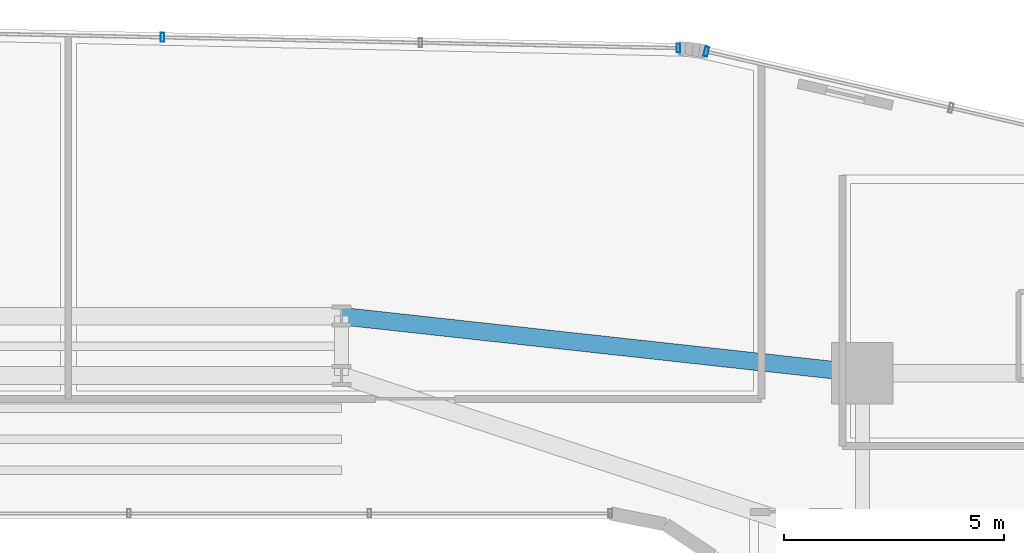
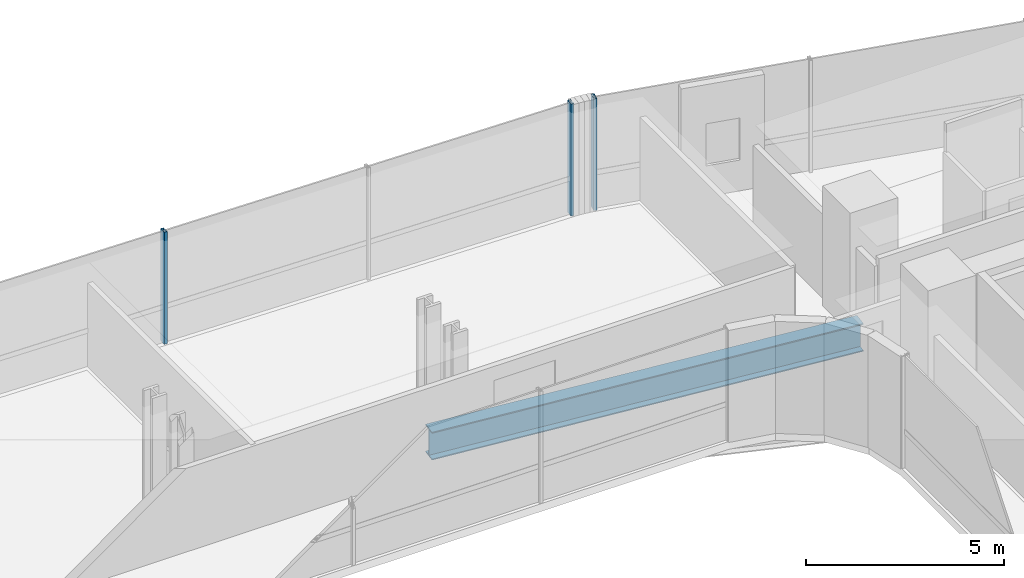
# One storey, part 22 of 40: 3 members, 1 beam, 2 elements without a shape of their own.
"""IFC4 building model written with IfcOpenShell, lengths in metres."""

from ifc_helpers import new_model, si_unit, direction, frame, origin, origin_2d, place, context, subcontext, project, spatial, hollow_rectangle, i_section, extrude, source, transform, mapped, material, material_profile, profile_set, type_object, element, aggregate, save


model = new_model("IFC4")

# Units and contexts
model_context = context("Model", 3, precision=1e-05, world=origin(), true_north=direction((0.0, 1.0)))
body_context = subcontext(model_context, "Body", "Model", "MODEL_VIEW")
ifc_project = project(units=[si_unit("LENGTHUNIT", "METRE"), si_unit("AREAUNIT", "SQUARE_METRE"), si_unit("VOLUMEUNIT", "CUBIC_METRE"), si_unit("PLANEANGLEUNIT", "RADIAN"), si_unit("MASSUNIT", "GRAM", prefix="KILO")], contexts=[model_context])

# Site, building, storey
site_placement = place(None, origin())
site = spatial("IfcSite", under=ifc_project, at=site_placement, CompositionType="ELEMENT")
building_placement = place(site_placement, origin())
building = spatial("IfcBuilding", under=site, at=building_placement, Name="Valdorenza Pilgrim Sanctuary Tower", CompositionType="ELEMENT")
storey_placement = place(building_placement, frame((0.0, 0.0, 66.699951171875)))
storey = spatial("IfcBuildingStorey", under=building, at=storey_placement, Name="L16", CompositionType="ELEMENT", Elevation=66.699951171875)

# Beam
ifc_material_1 = material(Name="Steel ASTM A992 Grade 50", Category="steel")
ifc_material_profile_1 = material_profile(ifc_material_1, i_section(OverallWidth=0.39990234375, OverallDepth=0.862060546875, WebThickness=0.019775390625, FlangeThickness=0.032470703125, at=origin_2d()), Name="W33X221")
ifc_profile_set_1 = profile_set([ifc_material_profile_1], Name="Steel ASTM A992 Grade 50")
beam_type = type_object("IfcBeamType", Name="STR-BM-GRD-W33", PredefinedType="BEAM", material=ifc_profile_set_1)
shared_shape_1 = source(origin(), body_context, "Body", "SweptSolid", [
    extrude(i_section(OverallWidth=0.39990234375, OverallDepth=0.862060546875, WebThickness=0.019775390625, FlangeThickness=0.032470703125, at=origin_2d()), origin(), (0.0, 0.0, 1.0), 11.921142578125),
])
beam_placement = place(storey_placement, frame((4.0, 14.800048828125, -0.6708984375), z_axis=(0.994035876607, -0.10905354656, 0.0), x_axis=(0.10905354656, 0.994035876607, 0.0)))
element("IfcBeam", 1, at=beam_placement, inside=storey, type_object=beam_type, Name="L16 Floor Girder KNK-G6", PredefinedType="BEAM", context=body_context, shape_type="MappedRepresentation", body=[
    mapped(shared_shape_1, transform((0.0, 0.0, 0.0), x_axis=(1.0, 0.0, 0.0), y_axis=(0.0, 1.0, 0.0), z_axis=(0.0, 0.0, 1.0), scale=1.0)),
])

# Curtain wall, members
ifc_material_2 = material(Name="Curtain-wall IGU glazing", Category="glass")
curtain_wall_type_1 = type_object("IfcCurtainWallType", Name="CW-SYS-02", PredefinedType="NOTDEFINED", material=ifc_material_2)
curtain_wall_1_placement = place(storey_placement, origin())
curtain_wall_1 = element("IfcCurtainWall", 2, at=curtain_wall_1_placement, inside=storey, type_object=curtain_wall_type_1, Name="L16 Curtain Wall CW-L16-1-11", PredefinedType="NOTDEFINED")
ifc_material_3 = material(Name="Anodised aluminium AW-6060", Category="aluminium")
ifc_material_profile_2 = material_profile(ifc_material_3, hollow_rectangle(XDim=0.0849609375, YDim=0.199951171875, WallThickness=0.0048828125, at=origin_2d()), Name="ALU-M 200x85x5")
ifc_profile_set_2 = profile_set([ifc_material_profile_2], Name="Anodised aluminium AW-6060")
member_type_1 = type_object("IfcMemberType", Name="CW-MUL-02", PredefinedType="MULLION", material=ifc_profile_set_2)
shared_shape_2 = source(origin(), body_context, "Body", "SweptSolid", [
    extrude(hollow_rectangle(XDim=0.0849609375, YDim=0.199951171875, WallThickness=0.0048828125, at=origin_2d()), origin(), (0.0, 0.0, 1.0), 3.4599609375),
])
member_1_placement = place(storey_placement, frame((-0.0712890625, 21.1416015625, 0.0), z_axis=(0.0, 0.0, 1.0), x_axis=(0.999783234613, -0.020820273474, 0.0)))
member_1 = element("IfcMember", 3, at=member_1_placement, type_object=member_type_1, Name="CW-L16-1-11 Mullion 3", PredefinedType="MULLION", context=body_context, shape_type="MappedRepresentation", body=[
    mapped(shared_shape_2, transform((0.0, 0.0, 0.0), x_axis=(1.0, 0.0, 0.0), y_axis=(0.0, 1.0, 0.0), z_axis=(0.0, 0.0, 1.0), scale=1.0)),
])
member_2_placement = place(storey_placement, frame((11.665771484375, 20.89697265625, 0.0), z_axis=(0.0, 0.0, 1.0), x_axis=(0.999783234613, -0.020820273474, 0.0)))
member_2 = element("IfcMember", 4, at=member_2_placement, type_object=member_type_1, Name="CW-L16-1-11 Mullion 5", PredefinedType="MULLION", context=body_context, shape_type="MappedRepresentation", body=[
    mapped(shared_shape_2, transform((0.0, 0.0, 0.0), x_axis=(1.0, 0.0, 0.0), y_axis=(0.0, 1.0, 0.0), z_axis=(0.0, 0.0, 1.0), scale=1.0)),
])
aggregate(curtain_wall_1, [member_1, member_2])

# Curtain wall, member
curtain_wall_type_2 = type_object("IfcCurtainWallType", Name="CW-SYS-03", PredefinedType="NOTDEFINED", material=ifc_material_2)
curtain_wall_2_placement = place(storey_placement, origin())
curtain_wall_2 = element("IfcCurtainWall", 5, at=curtain_wall_2_placement, inside=storey, type_object=curtain_wall_type_2, Name="L16 Curtain Wall CW-L16-1-16", PredefinedType="NOTDEFINED")
ifc_material_profile_3 = material_profile(ifc_material_3, hollow_rectangle(XDim=0.0849609375, YDim=0.219970703125, WallThickness=0.0048828125, at=origin_2d()), Name="ALU-M 220x85x5")
ifc_profile_set_3 = profile_set([ifc_material_profile_3], Name="Anodised aluminium AW-6060")
member_type_2 = type_object("IfcMemberType", Name="CW-MUL-03", PredefinedType="MULLION", material=ifc_profile_set_3)
shared_shape_3 = source(origin(), body_context, "Body", "SweptSolid", [
    extrude(hollow_rectangle(XDim=0.0849609375, YDim=0.219970703125, WallThickness=0.0048828125, at=origin_2d()), origin(), (0.0, 0.0, 1.0), 3.4599609375),
])
member_3_placement = place(storey_placement, frame((12.299072265625, 20.818115234375, 0.0), z_axis=(0.0, 0.0, 1.0), x_axis=(0.974389691758, -0.224866023659, 0.0)))
member_3 = element("IfcMember", 6, at=member_3_placement, type_object=member_type_2, Name="CW-L16-1-16 Mullion 1", PredefinedType="MULLION", context=body_context, shape_type="MappedRepresentation", body=[
    mapped(shared_shape_3, transform((0.0, 0.0, 0.0), x_axis=(1.0, 0.0, 0.0), y_axis=(0.0, 1.0, 0.0), z_axis=(0.0, 0.0, 1.0), scale=1.0)),
])
aggregate(curtain_wall_2, [member_3])

save(model, "model.ifc")
